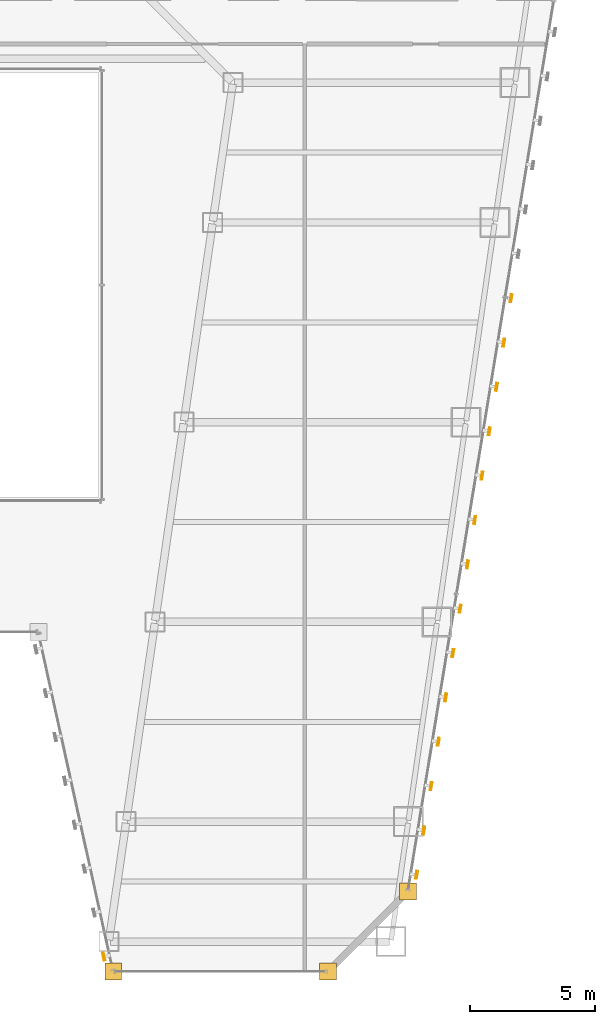
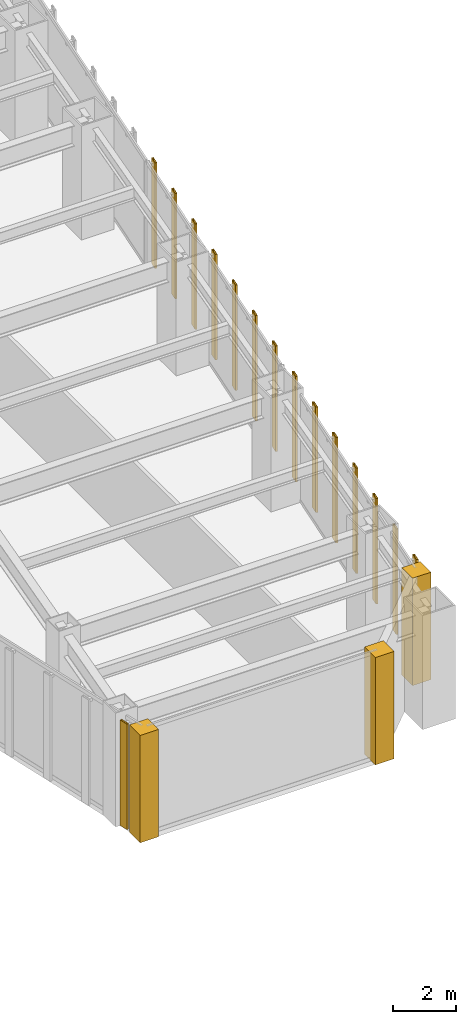
# One storey, part 44 of 47: 15 shading devices, 3 coverings.
"""IFC4 building model written with IfcOpenShell, lengths in metres."""

from ifc_helpers import new_model, si_unit, direction, frame, origin, origin_2d, place, context, subcontext, project, spatial, polyline, hollow_rectangle, outline, extrude, material, layer, layer_set, material_profile, profile_set, type_object, element, save


model = new_model("IFC4")

# Units and contexts
model_context = context("Model", 3, precision=1e-05, world=origin(), true_north=direction((0.0, 1.0)))
body_context = subcontext(model_context, "Body", "Model", "MODEL_VIEW")
ifc_project = project(units=[si_unit("LENGTHUNIT", "METRE"), si_unit("AREAUNIT", "SQUARE_METRE"), si_unit("VOLUMEUNIT", "CUBIC_METRE"), si_unit("PLANEANGLEUNIT", "RADIAN"), si_unit("MASSUNIT", "GRAM", prefix="KILO")], contexts=[model_context])

# Site, building, storey
site_placement = place(None, origin())
site = spatial("IfcSite", under=ifc_project, at=site_placement, CompositionType="ELEMENT")
building_placement = place(site_placement, origin())
building = spatial("IfcBuilding", under=site, at=building_placement, Name="Saevonmaru Cultural Tower", CompositionType="ELEMENT")
storey_placement = place(building_placement, frame((0.0, 0.0, 51.60009765625)))
storey = spatial("IfcBuildingStorey", under=building, at=storey_placement, Name="L10", CompositionType="ELEMENT", Elevation=51.60009765625)

# Coverings
ifc_material = material(Name="Satin Bronze Anodised Aluminium", Category="aluminium")
ifc_layer = layer(ifc_material, 0.679931640625, Name="Satin Bronze Anodised Aluminium")
ifc_layer_set = layer_set([ifc_layer], Name="Satin Bronze Anodised Aluminium")
covering_type = type_object("IfcCoveringType", Name="CV-CORNER-CLAD", PredefinedType="CLADDING", material=ifc_layer_set)
covering_1_placement = place(storey_placement, origin())
element("IfcCovering", 1, at=covering_1_placement, inside=storey, type_object=covering_type, Name="L10 Tower Bronze Corner Cladding Pier 6", PredefinedType="CLADDING", context=body_context, shape_type="SweptSolid", body=[
    extrude(outline(polyline([(36.06005859375, 1.659912109375), (36.739990234375, 1.659912109375), (36.739990234375, 2.340087890625), (36.06005859375, 2.340087890625), (36.06005859375, 1.659912109375)])), origin(), (0.0, 0.0, 1.0), 4.14990234375),
])
covering_2_placement = place(storey_placement, origin())
element("IfcCovering", 2, at=covering_2_placement, inside=storey, type_object=covering_type, Name="L10 Tower Bronze Corner Cladding Pier 7", PredefinedType="CLADDING", context=body_context, shape_type="SweptSolid", body=[
    extrude(outline(polyline([(44.659912109375, 1.659912109375), (45.340087890625, 1.659912109375), (45.340087890625, 2.340087890625), (44.659912109375, 2.340087890625), (44.659912109375, 1.659912109375)])), origin(), (0.0, 0.0, 1.0), 4.14990234375),
])
covering_3_placement = place(storey_placement, origin())
element("IfcCovering", 3, at=covering_3_placement, inside=storey, type_object=covering_type, Name="L10 Tower Bronze Corner Cladding Pier 8", PredefinedType="CLADDING", context=body_context, shape_type="SweptSolid", body=[
    extrude(outline(polyline([(47.860107421875, 4.860107421875), (48.5400390625, 4.860107421875), (48.5400390625, 5.5400390625), (47.860107421875, 5.5400390625), (47.860107421875, 4.860107421875)])), origin(), (0.0, 0.0, 1.0), 4.14990234375),
])

# Shading devices
ifc_material_profile = material_profile(ifc_material, hollow_rectangle(XDim=0.070068359375, YDim=0.320068359375, WallThickness=0.0048828125, at=origin_2d()), Name="FIN-320x70")
ifc_profile_set = profile_set([ifc_material_profile], Name="Satin Bronze Anodised Aluminium")
shading_device_type = type_object("IfcShadingDeviceType", Name="SHD-FIN-320", PredefinedType="JALOUSIE", material=ifc_profile_set)
for number, where, z_axis, x_axis, name in (
    (4, (36.022705078125, 2.59619140625, 0.0498046875), (0.0, 0.0, 1.0), (-0.976522126798, -0.215417120661, 0.0), "L10 Art Deco Sawtooth Bronze Fin E5-08"),
    (5, (48.552978515625, 5.869140625, 0.0498046875), (0.0, 0.0, 1.0), (0.986827496189, -0.161776057456, 0.0), "L10 Art Deco Sawtooth Bronze Fin E8-01"),
    (6, (48.843994140625, 7.6455078125, 0.0498046875), (0.0, 0.0, 1.0), (0.986827496189, -0.161776057456, 0.0), "L10 Art Deco Sawtooth Bronze Fin E8-02"),
    (7, (49.135009765625, 9.421875, 0.0498046875), (0.0, 0.0, 1.0), (0.986827496189, -0.161776057456, 0.0), "L10 Art Deco Sawtooth Bronze Fin E8-03"),
    (8, (49.426025390625, 11.197998046875, 0.0498046875), (0.0, 0.0, 1.0), (0.986827496189, -0.161776057456, 0.0), "L10 Art Deco Sawtooth Bronze Fin E8-04"),
    (9, (49.71728515625, 12.974365234375, 0.0498046875), (0.0, 0.0, 1.0), (0.986827496189, -0.161776057456, 0.0), "L10 Art Deco Sawtooth Bronze Fin E8-05"),
    (10, (50.00830078125, 14.750732421875, 0.0498046875), (0.0, 0.0, 1.0), (0.986827496189, -0.161776057456, 0.0), "L10 Art Deco Sawtooth Bronze Fin E8-06"),
    (11, (50.29931640625, 16.527099609375, 0.0498046875), (0.0, 0.0, 1.0), (0.986827496189, -0.161776057456, 0.0), "L10 Art Deco Sawtooth Bronze Fin E8-07"),
    (12, (50.59033203125, 18.30322265625, 0.0498046875), (0.0, 0.0, 1.0), (0.986827496189, -0.161776057456, 0.0), "L10 Art Deco Sawtooth Bronze Fin E8-08"),
    (13, (50.881591796875, 20.07958984375, 0.0498046875), (0.0, 0.0, 1.0), (0.986827496189, -0.161776057456, 0.0), "L10 Art Deco Sawtooth Bronze Fin E8-09"),
    (14, (51.172607421875, 21.85595703125, 0.0498046875), (0.0, 0.0, 1.0), (0.986827496189, -0.161776057456, 0.0), "L10 Art Deco Sawtooth Bronze Fin E8-10"),
    (15, (51.463623046875, 23.63232421875, 0.0498046875), (0.0, 0.0, 1.0), (0.986827496189, -0.161776057456, 0.0), "L10 Art Deco Sawtooth Bronze Fin E8-11"),
    (16, (51.754638671875, 25.40869140625, 0.0498046875), (0.0, 0.0, 1.0), (0.986827496189, -0.161776057456, 0.0), "L10 Art Deco Sawtooth Bronze Fin E8-12"),
    (17, (52.0458984375, 27.184814453125, 0.0498046875), (0.0, 0.0, 1.0), (0.986827496189, -0.161776057456, 0.0), "L10 Art Deco Sawtooth Bronze Fin E8-13"),
    (18, (52.3369140625, 28.961181640625, 0.0498046875), (0.0, 0.0, 1.0), (0.986827496189, -0.161776057456, 0.0), "L10 Art Deco Sawtooth Bronze Fin E8-14"),
):
    element("IfcShadingDevice", number, at=place(storey_placement, frame(where, z_axis=z_axis, x_axis=x_axis)), inside=storey, type_object=shading_device_type, Name=name, PredefinedType="JALOUSIE", context=body_context, shape_type="SweptSolid", body=[
        extrude(hollow_rectangle(XDim=0.070068359375, YDim=0.320068359375, WallThickness=0.0048828125, at=origin_2d()), origin(), (0.0, 0.0, 1.0), 4.080078125),
    ])

save(model, "model.ifc")
